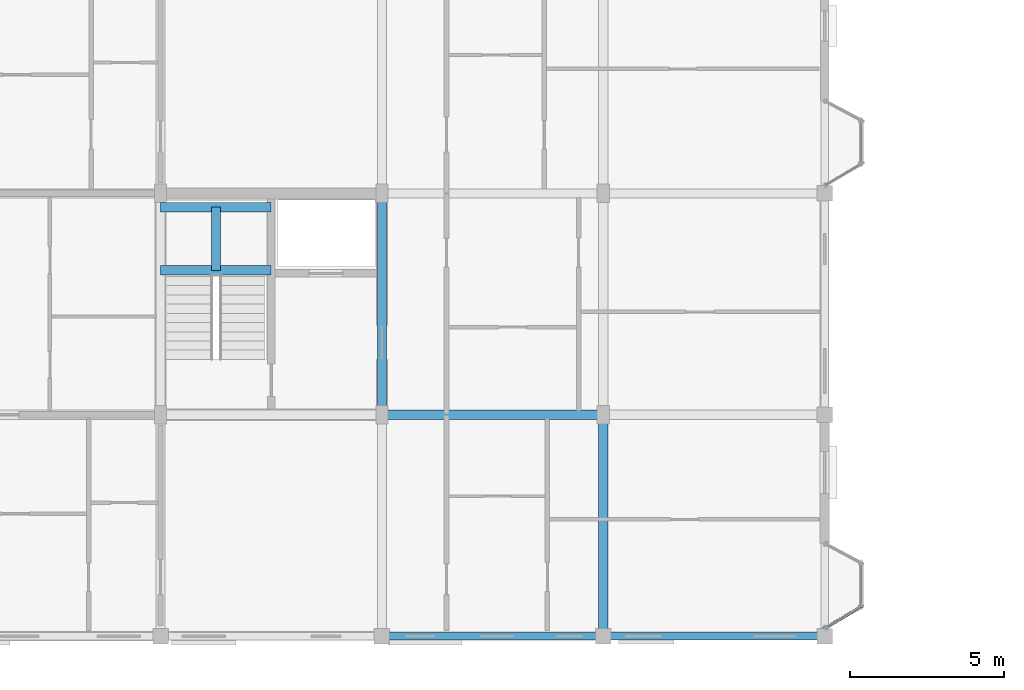
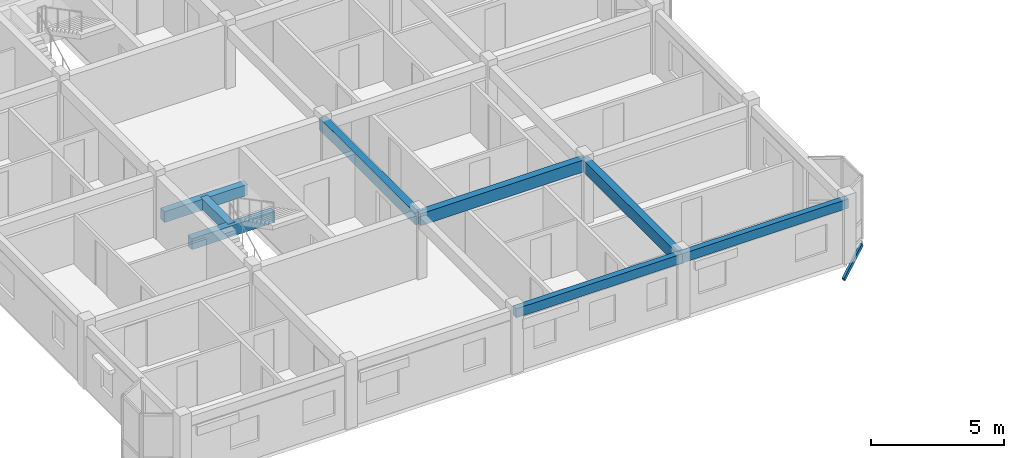
# One storey, part 6 of 65: 8 beams, 1 member.
"""IFC4 building model written with IfcOpenShell, lengths in metres."""

from ifc_helpers import new_model, si_unit, direction, frame, origin, origin_2d, place, context, subcontext, project, spatial, rectangle, hollow_rectangle, extrude, material, material_profile, profile_set, type_object, element, save


model = new_model("IFC4")

# Units and contexts
model_context = context("Model", 3, precision=1e-05, world=origin(), true_north=direction((0.0, 1.0)))
body_context = subcontext(model_context, "Body", "Model", "MODEL_VIEW")
ifc_project = project(units=[si_unit("LENGTHUNIT", "METRE"), si_unit("AREAUNIT", "SQUARE_METRE"), si_unit("VOLUMEUNIT", "CUBIC_METRE"), si_unit("PLANEANGLEUNIT", "RADIAN"), si_unit("MASSUNIT", "GRAM", prefix="KILO"), si_unit("THERMODYNAMICTEMPERATUREUNIT", "KELVIN"), si_unit("POWERUNIT", "WATT")], contexts=[model_context])

# Site, building, storey
site_placement = place(None, origin())
site = spatial("IfcSite", under=ifc_project, at=site_placement, CompositionType="ELEMENT")
building_placement = place(site_placement, origin())
building = spatial("IfcBuilding", under=site, at=building_placement, Name="Tavuni Mirador Residences", CompositionType="ELEMENT")
storey_placement = place(building_placement, frame((0.0, 0.0, 29.699951171875)))
storey = spatial("IfcBuildingStorey", under=building, at=storey_placement, Name="L09", CompositionType="ELEMENT", Elevation=29.699951171875)

# Beams
ifc_material_1 = material(Name="Precast concrete C40/50", Category="concrete")
ifc_material_profile_1 = material_profile(ifc_material_1, rectangle(XDim=0.300048828125, YDim=0.5, at=origin_2d()), Name="PC 300x500", Category="concrete")
ifc_profile_set_1 = profile_set([ifc_material_profile_1], Name="Precast concrete C40/50")
beam_type_1 = type_object("IfcBeamType", Name="BT-B500", PredefinedType="BEAM", material=ifc_profile_set_1)
for number, where, z_axis, x_axis, name in (
    (1, (10.800048828125, 19.10009765625, 1.14501953125), (1.0, 0.0, 0.0), (0.0, 1.0, 0.0), "HLB1-C1-L09"),
    (2, (10.800048828125, 21.14990234375, 1.14501953125), (1.0, 0.0, 0.0), (0.0, 1.0, 0.0), "HLB2-C1-L09"),
):
    element("IfcBeam", number, at=place(storey_placement, frame(where, z_axis=z_axis, x_axis=x_axis)), inside=storey, type_object=beam_type_1, Name=name, PredefinedType="BEAM", context=body_context, shape_type="SweptSolid", body=[
        extrude(rectangle(XDim=0.300048828125, YDim=0.5, at=origin_2d()), origin(), (0.0, 0.0, 1.0), 3.599853515625),
    ])
beam_1_placement = place(storey_placement, frame((12.60009765625, 19.10009765625, 1.14501953125), z_axis=(0.0, 1.0, 0.0), x_axis=(-1.0, 0.0, 0.0)))
element("IfcBeam", 3, at=beam_1_placement, inside=storey, type_object=beam_type_1, Name="HLB3-C1-L09", PredefinedType="BEAM", context=body_context, shape_type="SweptSolid", body=[
    extrude(rectangle(XDim=0.300048828125, YDim=0.5, at=origin_2d()), origin(), (0.0, 0.0, 1.0), 2.0498046875),
])
ifc_material_profile_2 = material_profile(ifc_material_1, rectangle(XDim=0.300048828125, YDim=0.550048828125, at=origin_2d()), Name="PC 300x550", Category="concrete")
ifc_profile_set_2 = profile_set([ifc_material_profile_2], Name="Precast concrete C40/50")
beam_type_2 = type_object("IfcBeamType", Name="BT-B550", PredefinedType="BEAM", material=ifc_profile_set_2)
beam_2_placement = place(storey_placement, frame((18.0, 14.39990234375, 2.594970703125), z_axis=(1.0, 0.0, 0.0), x_axis=(0.0, 1.0, 0.0)))
element("IfcBeam", 4, at=beam_2_placement, inside=storey, type_object=beam_type_2, Name="BMX-BLK-A-L09-02-01", PredefinedType="BEAM", context=body_context, shape_type="SweptSolid", body=[
    extrude(rectangle(XDim=0.300048828125, YDim=0.550048828125, at=origin_2d()), origin(), (0.0, 0.0, 1.0), 7.199951171875),
])
beam_3_placement = place(storey_placement, frame((18.0, 14.39990234375, 2.594970703125), z_axis=(0.0, 1.0, 0.0), x_axis=(-1.0, 0.0, 0.0)))
element("IfcBeam", 5, at=beam_3_placement, inside=storey, type_object=beam_type_2, Name="BMY-BLK-A-L09-02-01", PredefinedType="BEAM", context=body_context, shape_type="SweptSolid", body=[
    extrude(rectangle(XDim=0.300048828125, YDim=0.550048828125, at=origin_2d()), origin(), (0.0, 0.0, 1.0), 7.2001953125),
])
beam_4_placement = place(storey_placement, frame((25.199951171875, 7.199951171875, 2.594970703125), z_axis=(0.0, 1.0, 0.0), x_axis=(-1.0, 0.0, 0.0)))
element("IfcBeam", 6, at=beam_4_placement, inside=storey, type_object=beam_type_2, Name="BMY-BLK-A-L09-03-00", PredefinedType="BEAM", context=body_context, shape_type="SweptSolid", body=[
    extrude(rectangle(XDim=0.300048828125, YDim=0.550048828125, at=origin_2d()), origin(), (0.0, 0.0, 1.0), 7.199951171875),
])
ifc_material_profile_3 = material_profile(ifc_material_1, rectangle(XDim=0.25, YDim=0.419921875, at=origin_2d()), Name="PC 250x420", Category="concrete")
ifc_profile_set_3 = profile_set([ifc_material_profile_3], Name="Precast concrete C40/50")
beam_type_3 = type_object("IfcBeamType", Name="BT-SP420", PredefinedType="SPANDREL", material=ifc_profile_set_3)
for number, where, z_axis, x_axis, name in (
    (7, (18.0, 7.199951171875, 2.66015625), (1.0, 0.0, 0.0), (0.0, 1.0, 0.0), "BMX-BLK-A-L09-02-00"),
    (8, (25.199951171875, 7.199951171875, 2.66015625), (1.0, 0.0, 0.0), (0.0, 1.0, 0.0), "BMX-BLK-A-L09-03-00"),
):
    element("IfcBeam", number, at=place(storey_placement, frame(where, z_axis=z_axis, x_axis=x_axis)), inside=storey, type_object=beam_type_3, Name=name, PredefinedType="SPANDREL", context=body_context, shape_type="SweptSolid", body=[
        extrude(rectangle(XDim=0.25, YDim=0.419921875, at=origin_2d()), origin(), (0.0, 0.0, 1.0), 7.199951171875),
    ])

# Member
ifc_material_2 = material(Name="Structural steel S355", Category="steel")
ifc_material_profile_4 = material_profile(ifc_material_2, hollow_rectangle(XDim=0.10009765625, YDim=0.179931640625, WallThickness=0.008056640625, at=origin_2d()), Name="RHS 180x100x8.0", Category="steel")
ifc_profile_set_4 = profile_set([ifc_material_profile_4], Name="Structural steel S355")
member_type = type_object("IfcMemberType", Name="MT-BR-RHS180", PredefinedType="BRACE", material=ifc_profile_set_4)
member_placement = place(storey_placement, frame((32.39990234375, 7.449951171875, -1.050048828125), z_axis=(0.753448798133, 0.445693471312, 0.48339656414), x_axis=(-0.50913035723, 0.860689420957, 0.0)))
element("IfcMember", 9, at=member_placement, inside=storey, type_object=member_type, Name="MBRK-MIR-A-E1-L09-1", PredefinedType="BRACE", context=body_context, shape_type="SweptSolid", body=[
    extrude(hollow_rectangle(XDim=0.10009765625, YDim=0.179931640625, WallThickness=0.008056640625, at=origin_2d()), origin(), (0.0, 0.0, 1.0), 1.593017578125),
])

save(model, "model.ifc")
